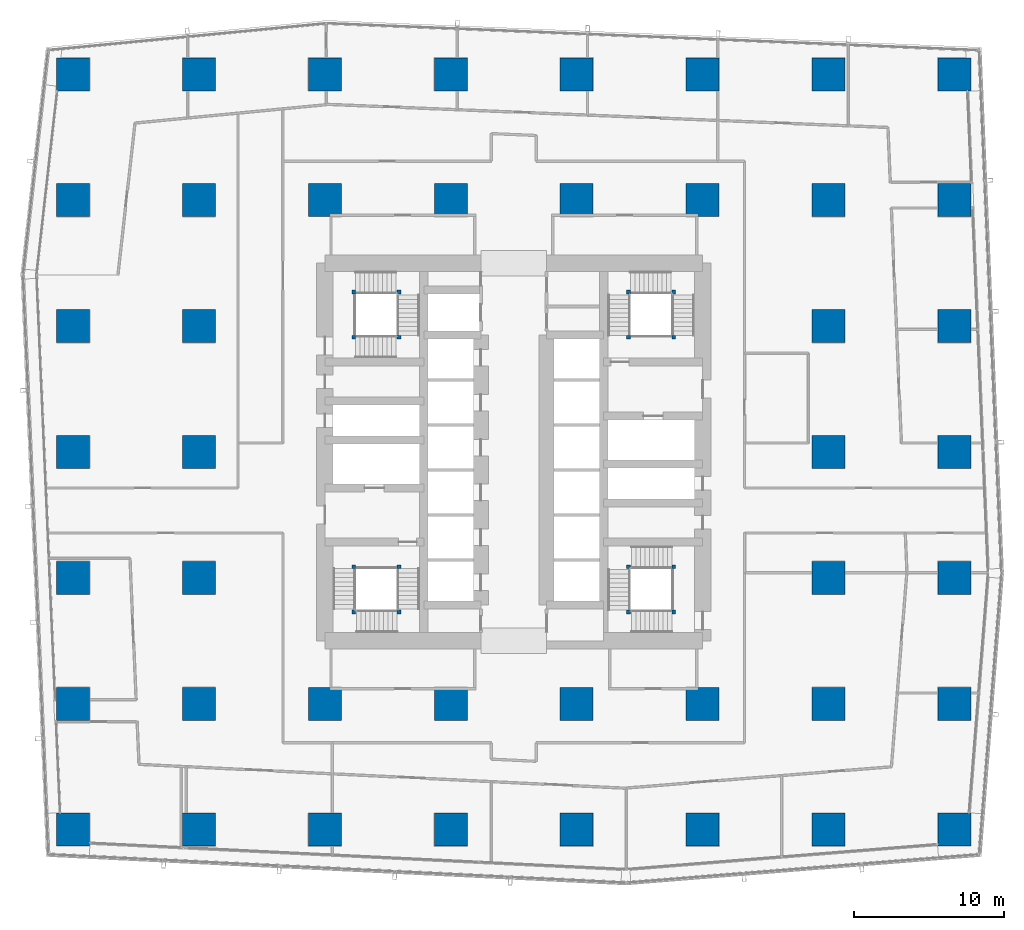
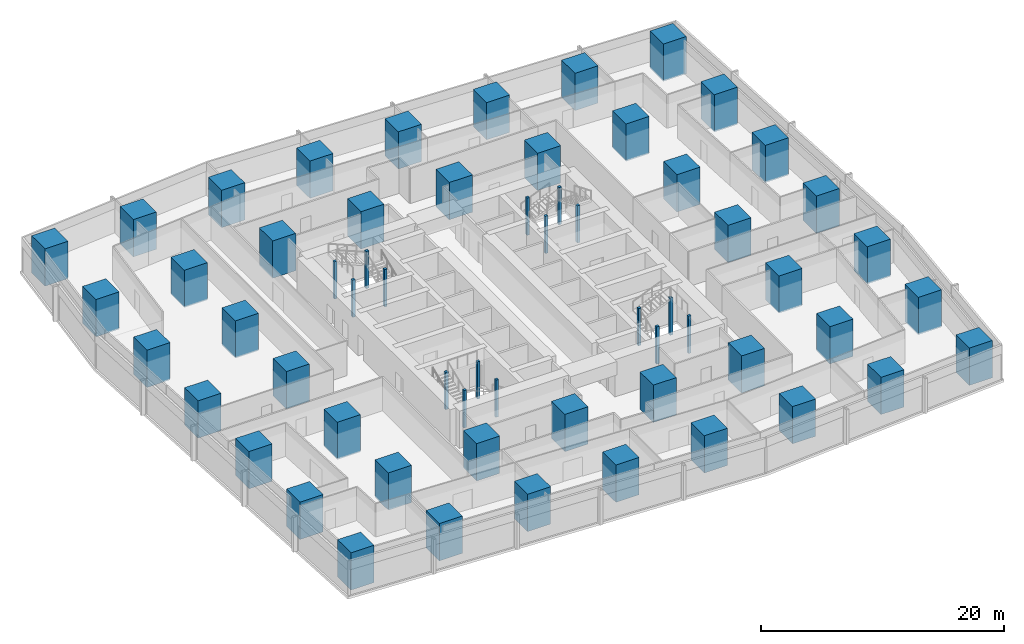
# One storey, part 1 of 44: 60 columns.
"""IFC4 building model written with IfcOpenShell, lengths in metres."""

from ifc_helpers import new_model, si_unit, direction, frame, origin, origin_2d, place, context, subcontext, project, spatial, rectangle, extrude, material, material_profile, profile_set, type_object, element, save


model = new_model("IFC4")

# Units and contexts
model_context = context("Model", 3, precision=1e-05, world=origin(), true_north=direction((0.0, 1.0)))
body_context = subcontext(model_context, "Body", "Model", "MODEL_VIEW")
ifc_project = project(units=[si_unit("LENGTHUNIT", "METRE"), si_unit("AREAUNIT", "SQUARE_METRE"), si_unit("VOLUMEUNIT", "CUBIC_METRE"), si_unit("PLANEANGLEUNIT", "RADIAN"), si_unit("MASSUNIT", "GRAM", prefix="KILO")], contexts=[model_context])

# Site, building, storey
site_placement = place(None, origin())
site = spatial("IfcSite", under=ifc_project, at=site_placement, CompositionType="ELEMENT")
building_placement = place(site_placement, origin())
building = spatial("IfcBuilding", under=site, at=building_placement, Name="Rekha Terrace Tower", CompositionType="ELEMENT")
storey_placement = place(building_placement, frame((0.0, 0.0, 74.14990234375)))
storey = spatial("IfcBuildingStorey", under=building, at=storey_placement, Name="L18", CompositionType="ELEMENT", Elevation=74.14990234375)

# Columns
ifc_material_1 = material(Name="Concrete M70", Category="concrete")
ifc_material_profile_1 = material_profile(ifc_material_1, rectangle(XDim=2.199951171875, YDim=2.199951171875, at=origin_2d()), Name="RC 2200x2200")
ifc_profile_set_1 = profile_set([ifc_material_profile_1], Name="Concrete M70")
column_type_1 = type_object("IfcColumnType", Name="C2 2200x2200 column", PredefinedType="COLUMN", material=ifc_profile_set_1)
for number, where, z_axis, x_axis, name in (
    (1, (8.39990234375, 8.39990234375, 0.0), (0.0, 0.0, 1.0), (1.0, 0.0, 0.0), "Column C2 2/B L18"),
    (2, (8.39990234375, 16.800048828125, 0.0), (0.0, 0.0, 1.0), (1.0, 0.0, 0.0), "Column C2 2/C L18"),
    (3, (8.39990234375, 25.199951171875, 0.0), (0.0, 0.0, 1.0), (1.0, 0.0, 0.0), "Column C2 2/D L18"),
    (4, (8.39990234375, 33.60009765625, 0.0), (0.0, 0.0, 1.0), (1.0, 0.0, 0.0), "Column C2 2/E L18"),
    (5, (8.39990234375, 42.0, 0.0), (0.0, 0.0, 1.0), (1.0, 0.0, 0.0), "Column C2 2/F L18"),
    (6, (8.39990234375, 50.39990234375, 0.0), (0.0, 0.0, 1.0), (1.0, 0.0, 0.0), "Column C2 2/G L18"),
    (7, (8.39990234375, 58.800048828125, 0.0), (0.0, 0.0, 1.0), (1.0, 0.0, 0.0), "Column C2 2/H L18"),
    (8, (16.800048828125, 8.39990234375, 0.0), (0.0, 0.0, 1.0), (1.0, 0.0, 0.0), "Column C2 3/B L18"),
    (9, (16.800048828125, 16.800048828125, 0.0), (0.0, 0.0, 1.0), (1.0, 0.0, 0.0), "Column C2 3/C L18"),
    (10, (16.800048828125, 25.199951171875, 0.0), (0.0, 0.0, 1.0), (1.0, 0.0, 0.0), "Column C2 3/D L18"),
    (11, (16.800048828125, 33.60009765625, 0.0), (0.0, 0.0, 1.0), (1.0, 0.0, 0.0), "Column C2 3/E L18"),
    (12, (16.800048828125, 42.0, 0.0), (0.0, 0.0, 1.0), (1.0, 0.0, 0.0), "Column C2 3/F L18"),
    (13, (16.800048828125, 50.39990234375, 0.0), (0.0, 0.0, 1.0), (1.0, 0.0, 0.0), "Column C2 3/G L18"),
    (14, (16.800048828125, 58.800048828125, 0.0), (0.0, 0.0, 1.0), (1.0, 0.0, 0.0), "Column C2 3/H L18"),
    (15, (25.199951171875, 8.39990234375, 0.0), (0.0, 0.0, 1.0), (1.0, 0.0, 0.0), "Column C2 4/B L18"),
    (16, (25.199951171875, 16.800048828125, 0.0), (0.0, 0.0, 1.0), (1.0, 0.0, 0.0), "Column C2 4/C L18"),
    (17, (25.199951171875, 50.39990234375, 0.0), (0.0, 0.0, 1.0), (1.0, 0.0, 0.0), "Column C2 4/G L18"),
    (18, (25.199951171875, 58.800048828125, 0.0), (0.0, 0.0, 1.0), (1.0, 0.0, 0.0), "Column C2 4/H L18"),
    (19, (33.60009765625, 8.39990234375, 0.0), (0.0, 0.0, 1.0), (1.0, 0.0, 0.0), "Column C2 5/B L18"),
    (20, (33.60009765625, 16.800048828125, 0.0), (0.0, 0.0, 1.0), (1.0, 0.0, 0.0), "Column C2 5/C L18"),
    (21, (33.60009765625, 50.39990234375, 0.0), (0.0, 0.0, 1.0), (1.0, 0.0, 0.0), "Column C2 5/G L18"),
    (22, (33.60009765625, 58.800048828125, 0.0), (0.0, 0.0, 1.0), (1.0, 0.0, 0.0), "Column C2 5/H L18"),
    (23, (42.0, 8.39990234375, 0.0), (0.0, 0.0, 1.0), (1.0, 0.0, 0.0), "Column C2 6/B L18"),
    (24, (42.0, 16.800048828125, 0.0), (0.0, 0.0, 1.0), (1.0, 0.0, 0.0), "Column C2 6/C L18"),
    (25, (42.0, 50.39990234375, 0.0), (0.0, 0.0, 1.0), (1.0, 0.0, 0.0), "Column C2 6/G L18"),
    (26, (42.0, 58.800048828125, 0.0), (0.0, 0.0, 1.0), (1.0, 0.0, 0.0), "Column C2 6/H L18"),
    (27, (50.39990234375, 8.39990234375, 0.0), (0.0, 0.0, 1.0), (1.0, 0.0, 0.0), "Column C2 7/B L18"),
    (28, (50.39990234375, 16.800048828125, 0.0), (0.0, 0.0, 1.0), (1.0, 0.0, 0.0), "Column C2 7/C L18"),
    (29, (50.39990234375, 50.39990234375, 0.0), (0.0, 0.0, 1.0), (1.0, 0.0, 0.0), "Column C2 7/G L18"),
    (30, (50.39990234375, 58.800048828125, 0.0), (0.0, 0.0, 1.0), (1.0, 0.0, 0.0), "Column C2 7/H L18"),
    (31, (58.800048828125, 8.39990234375, 0.0), (0.0, 0.0, 1.0), (1.0, 0.0, 0.0), "Column C2 8/B L18"),
    (32, (58.800048828125, 16.800048828125, 0.0), (0.0, 0.0, 1.0), (1.0, 0.0, 0.0), "Column C2 8/C L18"),
    (33, (58.800048828125, 25.199951171875, 0.0), (0.0, 0.0, 1.0), (1.0, 0.0, 0.0), "Column C2 8/D L18"),
    (34, (58.800048828125, 33.60009765625, 0.0), (0.0, 0.0, 1.0), (1.0, 0.0, 0.0), "Column C2 8/E L18"),
    (35, (58.800048828125, 42.0, 0.0), (0.0, 0.0, 1.0), (1.0, 0.0, 0.0), "Column C2 8/F L18"),
    (36, (58.800048828125, 50.39990234375, 0.0), (0.0, 0.0, 1.0), (1.0, 0.0, 0.0), "Column C2 8/G L18"),
    (37, (58.800048828125, 58.800048828125, 0.0), (0.0, 0.0, 1.0), (1.0, 0.0, 0.0), "Column C2 8/H L18"),
    (38, (67.199951171875, 8.39990234375, 0.0), (0.0, 0.0, 1.0), (1.0, 0.0, 0.0), "Column C2 9/B L18"),
    (39, (67.199951171875, 16.800048828125, 0.0), (0.0, 0.0, 1.0), (1.0, 0.0, 0.0), "Column C2 9/C L18"),
    (40, (67.199951171875, 25.199951171875, 0.0), (0.0, 0.0, 1.0), (1.0, 0.0, 0.0), "Column C2 9/D L18"),
    (41, (67.199951171875, 33.60009765625, 0.0), (0.0, 0.0, 1.0), (1.0, 0.0, 0.0), "Column C2 9/E L18"),
    (42, (67.199951171875, 42.0, 0.0), (0.0, 0.0, 1.0), (1.0, 0.0, 0.0), "Column C2 9/F L18"),
    (43, (67.199951171875, 50.39990234375, 0.0), (0.0, 0.0, 1.0), (1.0, 0.0, 0.0), "Column C2 9/G L18"),
    (44, (67.199951171875, 58.800048828125, 0.0), (0.0, 0.0, 1.0), (1.0, 0.0, 0.0), "Column C2 9/H L18"),
):
    element("IfcColumn", number, at=place(storey_placement, frame(where, z_axis=z_axis, x_axis=x_axis)), inside=storey, type_object=column_type_1, Name=name, PredefinedType="COLUMN", context=body_context, shape_type="SweptSolid", body=[
        extrude(rectangle(XDim=2.199951171875, YDim=2.199951171875, at=origin_2d()), origin(), (0.0, 0.0, 1.0), 3.75),
    ])
ifc_material_2 = material(Name="Concrete M60", Category="concrete")
ifc_material_profile_2 = material_profile(ifc_material_2, rectangle(XDim=0.25, YDim=0.25, at=origin_2d()), Name="RC 250x250")
ifc_profile_set_2 = profile_set([ifc_material_profile_2], Name="Concrete M60")
column_type_2 = type_object("IfcColumnType", Name="NP1 250x250 stair newel post", PredefinedType="COLUMN", material=ifc_profile_set_2)
for number, where, z_axis, x_axis, name in (
    (45, (30.14990234375, 25.949951171875, 0.0), (0.0, 0.0, 1.0), (1.0, 0.0, 0.0), "Stair newel post NP1"),
    (46, (30.14990234375, 22.925048828125, 0.0), (0.0, 0.0, 1.0), (1.0, 0.0, 0.0), "Stair newel post NP1"),
    (47, (27.125, 22.925048828125, 0.0), (0.0, 0.0, 1.0), (1.0, 0.0, 0.0), "Stair newel post NP1"),
    (48, (27.125, 25.949951171875, 0.0), (0.0, 0.0, 1.0), (1.0, 0.0, 0.0), "Stair newel post NP1"),
    (49, (45.449951171875, 41.25, 0.0), (0.0, 0.0, 1.0), (1.0, 0.0, 0.0), "Stair newel post NP1"),
    (50, (45.449951171875, 44.27490234375, 0.0), (0.0, 0.0, 1.0), (1.0, 0.0, 0.0), "Stair newel post NP1"),
    (51, (48.47509765625, 44.27490234375, 0.0), (0.0, 0.0, 1.0), (1.0, 0.0, 0.0), "Stair newel post NP1"),
    (52, (48.47509765625, 41.25, 0.0), (0.0, 0.0, 1.0), (1.0, 0.0, 0.0), "Stair newel post NP1"),
    (53, (48.47509765625, 22.925048828125, 0.0), (0.0, 0.0, 1.0), (1.0, 0.0, 0.0), "Stair newel post NP1"),
    (54, (45.449951171875, 22.925048828125, 0.0), (0.0, 0.0, 1.0), (1.0, 0.0, 0.0), "Stair newel post NP1"),
    (55, (45.449951171875, 25.949951171875, 0.0), (0.0, 0.0, 1.0), (1.0, 0.0, 0.0), "Stair newel post NP1"),
    (56, (48.47509765625, 25.949951171875, 0.0), (0.0, 0.0, 1.0), (1.0, 0.0, 0.0), "Stair newel post NP1"),
    (57, (27.125, 41.25, 0.0), (0.0, 0.0, 1.0), (1.0, 0.0, 0.0), "Stair newel post NP1"),
    (58, (30.14990234375, 41.25, 0.0), (0.0, 0.0, 1.0), (1.0, 0.0, 0.0), "Stair newel post NP1"),
    (59, (30.14990234375, 44.27490234375, 0.0), (0.0, 0.0, 1.0), (1.0, 0.0, 0.0), "Stair newel post NP1"),
    (60, (27.125, 44.27490234375, 0.0), (0.0, 0.0, 1.0), (1.0, 0.0, 0.0), "Stair newel post NP1"),
):
    element("IfcColumn", number, at=place(storey_placement, frame(where, z_axis=z_axis, x_axis=x_axis)), inside=storey, type_object=column_type_2, Name=name, PredefinedType="COLUMN", context=body_context, shape_type="SweptSolid", body=[
        extrude(rectangle(XDim=0.25, YDim=0.25, at=origin_2d()), origin(), (0.0, 0.0, 1.0), 3.75),
    ])

save(model, "model.ifc")
